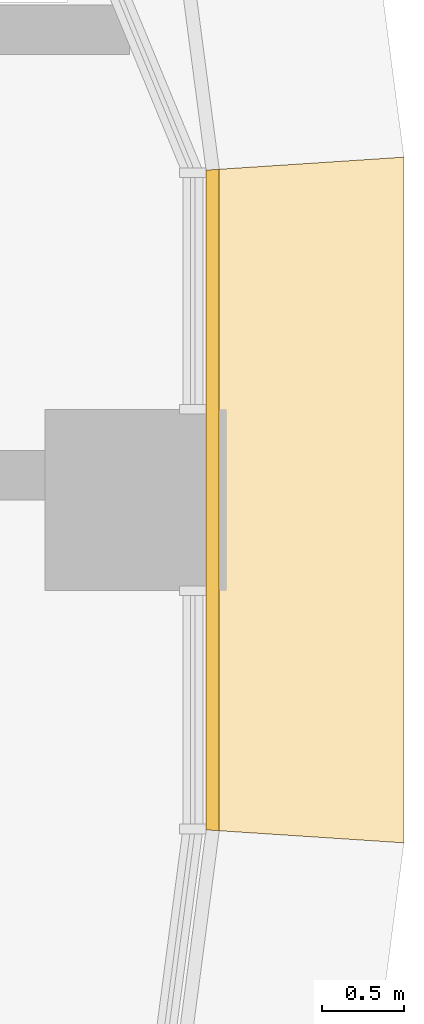
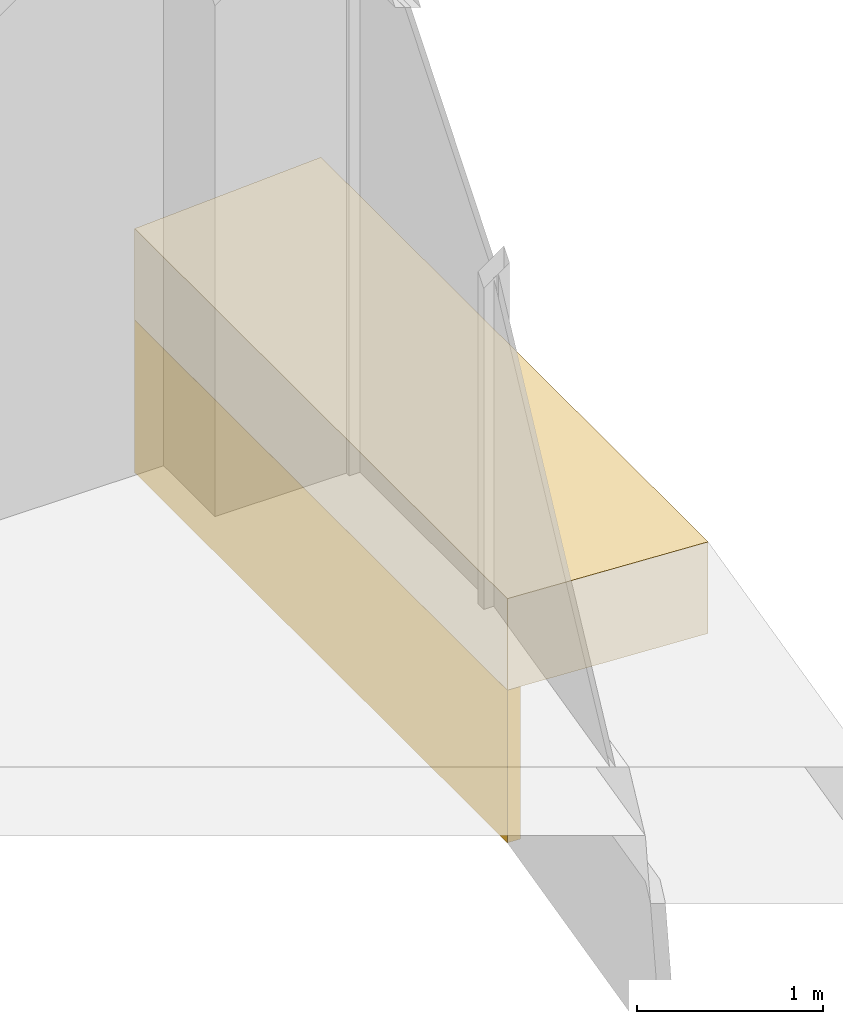
# One storey, part 24 of 24: 2 coverings.
"""IFC4 building model written with IfcOpenShell, lengths in metres."""

from ifc_helpers import new_model, si_unit, direction, frame, origin, place, context, subcontext, project, spatial, polyline, outline, extrude, material, layer, layer_set, type_object, element, save


model = new_model("IFC4")

# Units and contexts
model_context = context("Model", 3, precision=1e-05, world=origin(), true_north=direction((0.0, 1.0)))
body_context = subcontext(model_context, "Body", "Model", "MODEL_VIEW")
ifc_project = project(units=[si_unit("LENGTHUNIT", "METRE"), si_unit("AREAUNIT", "SQUARE_METRE"), si_unit("VOLUMEUNIT", "CUBIC_METRE"), si_unit("PLANEANGLEUNIT", "RADIAN"), si_unit("MASSUNIT", "GRAM", prefix="KILO")], contexts=[model_context])

# Site, building, storey
site_placement = place(None, origin())
site = spatial("IfcSite", under=ifc_project, at=site_placement, CompositionType="ELEMENT")
building_placement = place(site_placement, origin())
building = spatial("IfcBuilding", under=site, at=building_placement, Name="Ogive Portal Towers", CompositionType="ELEMENT")
storey_placement = place(building_placement, frame((0.0, 0.0, 153.300048828125)))
storey = spatial("IfcBuildingStorey", under=building, at=storey_placement, Name="L37", CompositionType="ELEMENT", Elevation=153.300048828125)

# Coverings
ifc_material = material(Name="Limestone cladding on lightweight block wall", Category="masonry")
ifc_layer_1 = layer(ifc_material, 0.080078125)
ifc_layer_set_1 = layer_set([ifc_layer_1], Name="STONE SPANDREL 80")
covering_type_1 = type_object("IfcCoveringType", Name="STONE SPANDREL 80", PredefinedType="CLADDING", material=ifc_layer_set_1)
covering_1_placement = place(storey_placement, frame((0.0, 0.0, -1.60009765625)))
element("IfcCovering", 1, at=covering_1_placement, inside=storey, type_object=covering_type_1, Name="Stone spandrel A2-F03", PredefinedType="CLADDING", context=body_context, shape_type="SweptSolid", body=[
    extrude(outline(polyline([(94.925048828125, 28.5), (94.925048828125, 32.5), (95.0048828125, 32.505126953125), (95.0048828125, 28.494873046875), (94.925048828125, 28.5)])), origin(), (0.0, 0.0, 1.0), 1.0),
])
ifc_layer_2 = layer(ifc_material, 0.60009765625)
ifc_layer_set_2 = layer_set([ifc_layer_2], Name="SUNSHADE LIP 600")
covering_type_2 = type_object("IfcCoveringType", Name="SUNSHADE LIP 600", PredefinedType="CLADDING", material=ifc_layer_set_2)
covering_2_placement = place(storey_placement, frame((0.0, 0.0, -0.60009765625)))
element("IfcCovering", 2, at=covering_2_placement, inside=storey, type_object=covering_type_2, Name="Sunshade lip A2-F03", PredefinedType="CLADDING", context=body_context, shape_type="SweptSolid", body=[
    extrude(outline(polyline([(94.925048828125, 28.5), (94.925048828125, 32.5), (96.125, 32.57861328125), (96.125, 28.42138671875), (94.925048828125, 28.5)])), origin(), (0.0, 0.0, 1.0), 0.60009765625),
])

save(model, "model.ifc")
